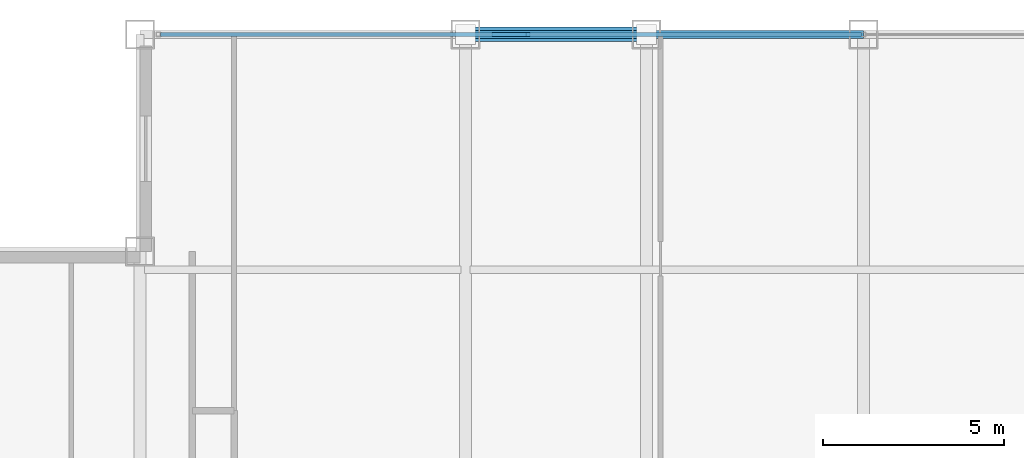
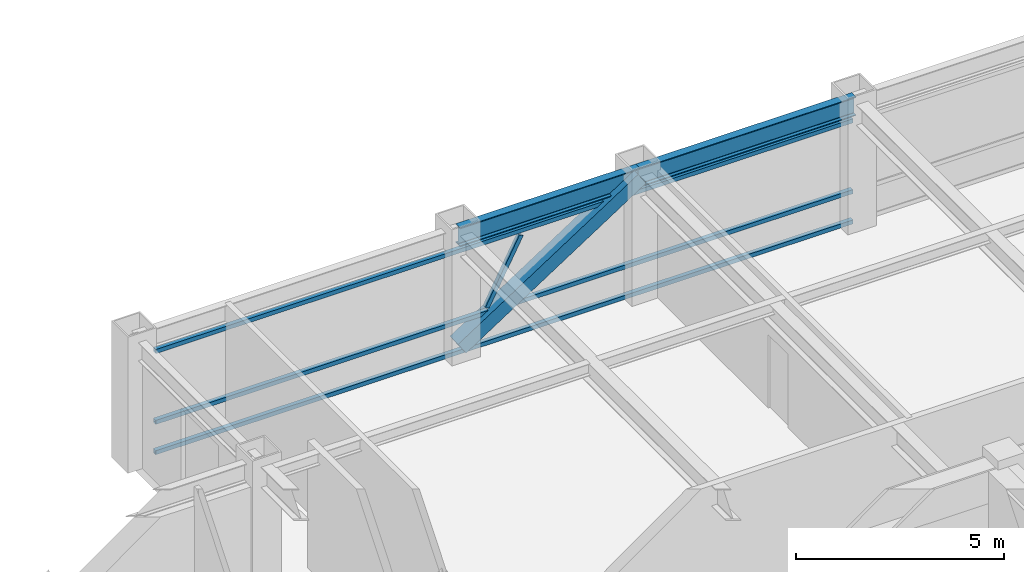
# One storey, part 17 of 28: 5 members, 2 beams, 1 element without a shape of its own.
"""IFC4 building model written with IfcOpenShell, lengths in metres."""

from ifc_helpers import new_model, si_unit, direction, frame, origin, origin_2d, place, context, subcontext, project, spatial, hollow_rectangle, i_section, extrude, source, transform, mapped, material, material_profile, profile_set, type_object, element, aggregate, save


model = new_model("IFC4")

# Units and contexts
model_context = context("Model", 3, precision=1e-05, world=origin(), true_north=direction((0.0, 1.0)))
body_context = subcontext(model_context, "Body", "Model", "MODEL_VIEW")
ifc_project = project(units=[si_unit("LENGTHUNIT", "METRE"), si_unit("AREAUNIT", "SQUARE_METRE"), si_unit("VOLUMEUNIT", "CUBIC_METRE"), si_unit("PLANEANGLEUNIT", "RADIAN"), si_unit("MASSUNIT", "GRAM", prefix="KILO")], contexts=[model_context])

# Site, building, storey
site_placement = place(None, origin())
site = spatial("IfcSite", under=ifc_project, at=site_placement, CompositionType="ELEMENT")
building_placement = place(site_placement, origin())
building = spatial("IfcBuilding", under=site, at=building_placement, Name="Khorayat Bourse Tower", CompositionType="ELEMENT")
storey_placement = place(building_placement, frame((0.0, 0.0, 334.300048828125)))
storey = spatial("IfcBuildingStorey", under=building, at=storey_placement, Name="L79", CompositionType="ELEMENT", Elevation=334.300048828125)

# Beams
ifc_material_1 = material(Name="Steel ASTM A992 Grade 50", Category="steel")
ifc_material_profile_1 = material_profile(ifc_material_1, i_section(OverallWidth=0.214111328125, OverallDepth=0.549072265625, WebThickness=0.0146484375, FlangeThickness=0.023681640625, FilletRadius=0.013916015625, at=origin_2d()), Name="W530X138")
ifc_profile_set_1 = profile_set([ifc_material_profile_1], Name="Steel ASTM A992 Grade 50")
beam_type = type_object("IfcBeamType", Name="BM-SPAN-530", PredefinedType="SPANDREL", material=ifc_profile_set_1)
shared_shape_1 = source(origin(), body_context, "Body", "SweptSolid", [
    extrude(i_section(OverallWidth=0.214111328125, OverallDepth=0.549072265625, WebThickness=0.0146484375, FlangeThickness=0.023681640625, FilletRadius=0.013916015625, at=origin_2d()), origin(), (0.0, 0.0, 1.0), 5.0),
])
beam_1_placement = place(storey_placement, frame((-11.0, 26.0, 3.46533203125), z_axis=(1.0, 0.0, 0.0), x_axis=(0.0, 1.0, 0.0)))
element("IfcBeam", 1, at=beam_1_placement, inside=storey, type_object=beam_type, Name="L79 BM-SPAN-530 BM-L79-SPN-044", PredefinedType="SPANDREL", context=body_context, shape_type="MappedRepresentation", body=[
    mapped(shared_shape_1, transform((0.0, 0.0, 0.0), scale=1.0)),
])
shared_shape_2 = source(origin(), body_context, "Body", "SweptSolid", [
    extrude(i_section(OverallWidth=0.214111328125, OverallDepth=0.549072265625, WebThickness=0.0146484375, FlangeThickness=0.023681640625, FilletRadius=0.013916015625, at=origin_2d()), origin(), (0.0, 0.0, 1.0), 6.0),
])
beam_2_placement = place(storey_placement, frame((-6.0, 26.0, 3.46533203125), z_axis=(1.0, 0.0, 0.0), x_axis=(0.0, 1.0, 0.0)))
element("IfcBeam", 2, at=beam_2_placement, inside=storey, type_object=beam_type, Name="L79 BM-SPAN-530 BM-L79-SPN-043", PredefinedType="SPANDREL", context=body_context, shape_type="MappedRepresentation", body=[
    mapped(shared_shape_2, transform((0.0, 0.0, 0.0), scale=1.0)),
])

# Member
ifc_material_2 = material(Name="Steel EN 10025-4 S460M", Category="steel")
ifc_material_profile_2 = material_profile(ifc_material_2, hollow_rectangle(XDim=0.39990234375, YDim=0.39990234375, WallThickness=0.02197265625, at=origin_2d()), Name="HSS 400x400x22")
ifc_profile_set_2 = profile_set([ifc_material_profile_2], Name="Steel EN 10025-4 S460M")
member_type_1 = type_object("IfcMemberType", Name="MBR-TUBE-400", PredefinedType="BRACE", material=ifc_profile_set_2)
shared_shape_3 = source(origin(), body_context, "Body", "SweptSolid", [
    extrude(hollow_rectangle(XDim=0.39990234375, YDim=0.39990234375, WallThickness=0.02197265625, at=origin_2d()), origin(), (0.0, 0.0, 1.0), 5.9580078125),
])
member_1_placement = place(storey_placement, frame((-11.0, 26.0, 0.25), z_axis=(0.839210474455, 0.0, 0.543806748364), x_axis=(0.0, 1.0, 0.0)))
element("IfcMember", 3, at=member_1_placement, inside=storey, type_object=member_type_1, Name="L79 Perimeter Tube Brace 03", PredefinedType="BRACE", context=body_context, shape_type="MappedRepresentation", body=[
    mapped(shared_shape_3, transform((0.0, 0.0, 0.0), scale=1.0)),
])

# Curtain wall, members
ifc_material_3 = material(Name="Aluminium EN AW-6063 T6", Category="aluminium")
curtain_wall_type = type_object("IfcCurtainWallType", Name="CW-SYS-04", PredefinedType="NOTDEFINED", material=ifc_material_3)
curtain_wall_placement = place(storey_placement, origin())
curtain_wall = element("IfcCurtainWall", 4, at=curtain_wall_placement, inside=storey, type_object=curtain_wall_type, Name="L79 Curtain Wall CW-L79-N1", PredefinedType="NOTDEFINED")
ifc_material_profile_3 = material_profile(ifc_material_3, hollow_rectangle(XDim=0.1201171875, YDim=0.1201171875, WallThickness=0.0048828125, at=origin_2d()), Name="ALU 120x120x5")
ifc_profile_set_3 = profile_set([ifc_material_profile_3], Name="Aluminium EN AW-6063 T6")
member_type_2 = type_object("IfcMemberType", Name="CWM-DIAG-120", PredefinedType="MULLION", material=ifc_profile_set_3)
shared_shape_4 = source(origin(), body_context, "Body", "SweptSolid", [
    extrude(hollow_rectangle(XDim=0.1201171875, YDim=0.1201171875, WallThickness=0.0048828125, at=origin_2d()), origin(), (0.0, 0.0, 1.0), 2.0341796875),
])
member_2_placement = place(storey_placement, frame((-10.21875, 26.0, 1.08984375), z_axis=(0.465790950955, 0.0, 0.884894790361), x_axis=(0.0, 1.0, 0.0)))
member_2 = element("IfcMember", 5, at=member_2_placement, type_object=member_type_2, Name="CW-L79-N1 Faceted Diagonal Mullion 1", PredefinedType="MULLION", context=body_context, shape_type="MappedRepresentation", body=[
    mapped(shared_shape_4, transform((0.0, 0.0, 0.0), scale=1.0)),
])
ifc_material_profile_4 = material_profile(ifc_material_3, hollow_rectangle(XDim=0.1201171875, YDim=0.1201171875, WallThickness=0.0048828125, at=origin_2d()), Name="ALU 120x120x5")
ifc_profile_set_4 = profile_set([ifc_material_profile_4], Name="Aluminium EN AW-6063 T6")
member_type_3 = type_object("IfcMemberType", Name="CWT-HORZ-120", PredefinedType="USERDEFINED", material=ifc_profile_set_4)
shared_shape_5 = source(origin(), body_context, "Body", "SweptSolid", [
    extrude(hollow_rectangle(XDim=0.1201171875, YDim=0.1201171875, WallThickness=0.0048828125, at=origin_2d()), origin(), (0.0, 0.0, 1.0), 19.369873046875),
])
member_3_placement = place(storey_placement, frame((-19.429931640625, 26.0, 0.06005859375), z_axis=(1.0, 0.0, 0.0), x_axis=(0.0, 1.0, 0.0)))
member_3 = element("IfcMember", 6, at=member_3_placement, type_object=member_type_3, Name="CW-L79-N1 Horizontal Transom 1-1", ObjectType="TRANSOM", PredefinedType="USERDEFINED", context=body_context, shape_type="MappedRepresentation", body=[
    mapped(shared_shape_5, transform((0.0, 0.0, 0.0), scale=1.0)),
])
member_4_placement = place(storey_placement, frame((-19.429931640625, 26.0, 0.949951171875), z_axis=(1.0, 0.0, 0.0), x_axis=(0.0, 1.0, 0.0)))
member_4 = element("IfcMember", 7, at=member_4_placement, type_object=member_type_3, Name="CW-L79-N1 Horizontal Transom 1-2", ObjectType="TRANSOM", PredefinedType="USERDEFINED", context=body_context, shape_type="MappedRepresentation", body=[
    mapped(shared_shape_5, transform((0.0, 0.0, 0.0), scale=1.0)),
])
member_5_placement = place(storey_placement, frame((-19.429931640625, 26.0, 3.030029296875), z_axis=(1.0, 0.0, 0.0), x_axis=(0.0, 1.0, 0.0)))
member_5 = element("IfcMember", 8, at=member_5_placement, type_object=member_type_3, Name="CW-L79-N1 Horizontal Transom 1-3", ObjectType="TRANSOM", PredefinedType="USERDEFINED", context=body_context, shape_type="MappedRepresentation", body=[
    mapped(shared_shape_5, transform((0.0, 0.0, 0.0), scale=1.0)),
])
aggregate(curtain_wall, [member_3, member_4, member_5, member_2])

save(model, "model.ifc")
